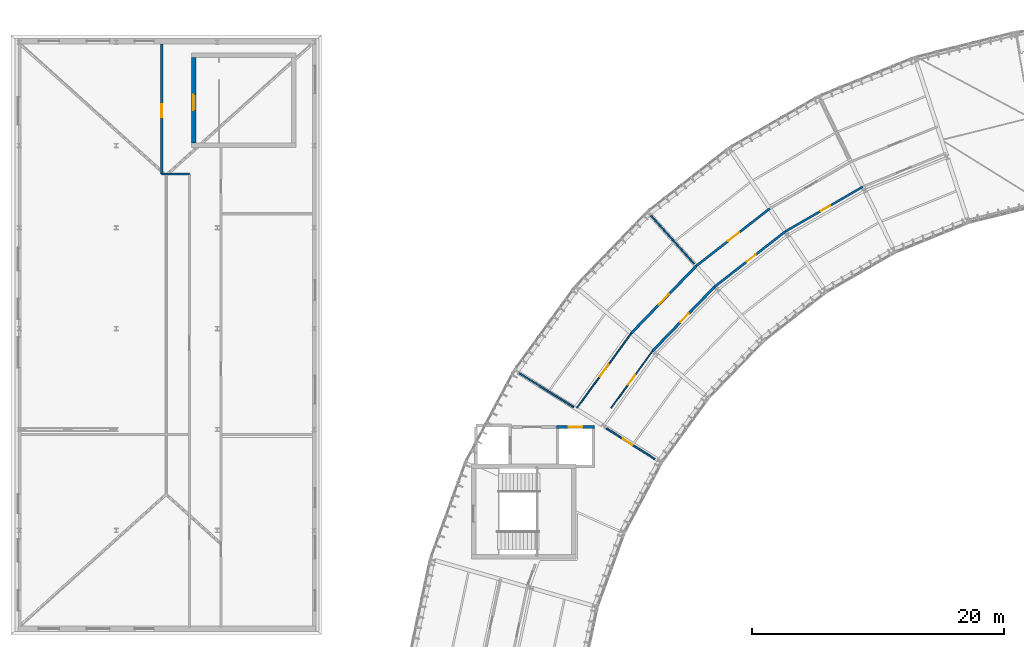
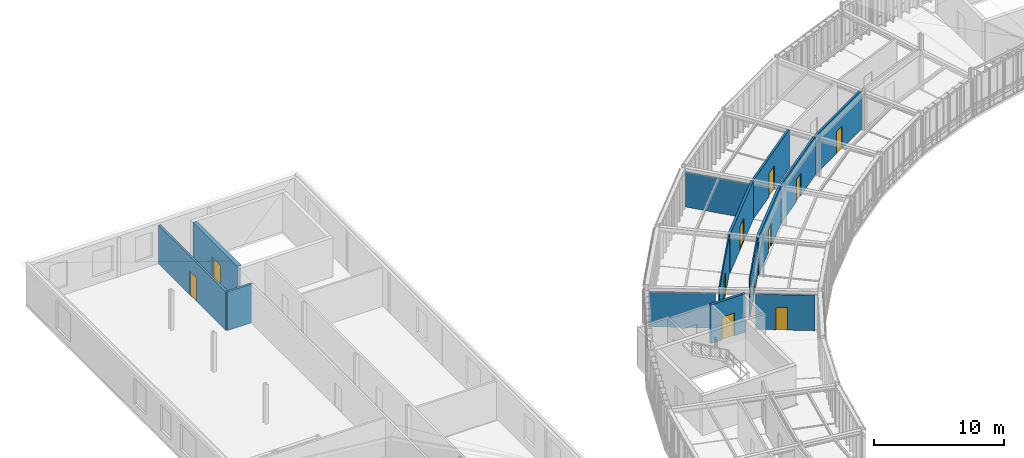
# One storey, part 31 of 42: 14 walls, 11 doors, 11 openings.
"""IFC4 building model written with IfcOpenShell, lengths in metres."""

from ifc_helpers import new_model, si_unit, direction, frame, frame_2d, origin, place, context, subcontext, project, spatial, rectangle, extrude, material, layer, layer_set, type_object, element, fill, save


model = new_model("IFC4")

# Units and contexts
model_context = context("Model", 3, precision=1e-05, world=origin(), true_north=direction((0.0, 1.0)))
body_context = subcontext(model_context, "Body", "Model", "MODEL_VIEW")
ifc_project = project(units=[si_unit("LENGTHUNIT", "METRE"), si_unit("AREAUNIT", "SQUARE_METRE"), si_unit("VOLUMEUNIT", "CUBIC_METRE"), si_unit("PLANEANGLEUNIT", "RADIAN"), si_unit("MASSUNIT", "GRAM", prefix="KILO"), si_unit("THERMODYNAMICTEMPERATUREUNIT", "KELVIN"), si_unit("POWERUNIT", "WATT")], contexts=[model_context])

# Site, building, storey
site_placement = place(None, origin())
site = spatial("IfcSite", under=ifc_project, at=site_placement, CompositionType="ELEMENT")
building_placement = place(site_placement, origin())
building = spatial("IfcBuilding", under=site, at=building_placement, Name="Solvatero Civic Police Headquarters", CompositionType="ELEMENT")
storey_placement = place(building_placement, frame((0.0, 0.0, 21.60009765625)))
storey = spatial("IfcBuildingStorey", under=building, at=storey_placement, Name="L05", CompositionType="ELEMENT", Elevation=21.60009765625)

# Wall, opening, door
ifc_material_1 = material(Name="Gypsum Acoustic Stud", Category="gypsum")
ifc_layer_1 = layer(ifc_material_1, 0.10009765625)
ifc_layer_set_1 = layer_set([ifc_layer_1], Name="Gypsum Acoustic Stud")
wall_type_1 = type_object("IfcWallType", Name="WL-PTN-100", PredefinedType="PARTITIONING", material=ifc_layer_set_1)
wall_1_placement = place(storey_placement, frame((55.00830078125, 58.718017578125, 0.0), z_axis=(0.0, 0.0, 1.0), x_axis=(-0.587773920785, -0.809025227076, 0.0)))
wall_1 = element("IfcWall", 1, at=wall_1_placement, inside=storey, type_object=wall_type_1, Name="Interior Partition WLP-L05-ARC-CIN-B08", PredefinedType="PARTITIONING", context=body_context, shape_type="SweptSolid", body=[
    extrude(rectangle(XDim=5.58447265625, YDim=0.10009765625, at=frame_2d((2.792236328125, 0.0))), origin(), (0.0, 0.0, 1.0), 3.619873046875),
])
opening_1_placement = place(wall_1_placement, frame((2.344970703125, 0.0, 0.0)))
opening_1 = element("IfcOpeningElement", 2, at=opening_1_placement, cuts=wall_1, Name="Opening ID-04", PredefinedType="OPENING", context=body_context, shape_type="SweptSolid", body=[
    extrude(rectangle(XDim=0.949951171875, YDim=2.14990234375, at=frame_2d((0.47509765625, 1.074951171875))), frame((0.0, 0.06005859375, 0.0), z_axis=(0.0, -1.0, 0.0), x_axis=(1.0, 0.0, 0.0)), (0.0, 0.0, 1.0), 0.1201171875),
])
ifc_material_2 = material(Name="Acoustic Oak Timber Veneer", Category="wood")
door_type_1 = type_object("IfcDoorType", Name="DR-ACC-095x215", OperationType="NOTDEFINED", PredefinedType="DOOR", material=ifc_material_2)
door_1_placement = place(opening_1_placement, origin())
door_1 = element("IfcDoor", 3, at=door_1_placement, inside=storey, type_object=door_type_1, Name="Interior Door DR-L05-ARC-IN-B08", OperationType="SINGLE_SWING_LEFT", OverallHeight=2.14990234375, OverallWidth=0.949951171875, PredefinedType="DOOR", context=body_context, shape_type="SweptSolid", body=[
    extrude(rectangle(XDim=0.949951171875, YDim=2.14990234375, at=frame_2d((0.47509765625, 1.074951171875))), frame((0.0, 0.02490234375, 0.0), z_axis=(0.0, -1.0, 0.0), x_axis=(1.0, 0.0, 0.0)), (0.0, 0.0, 1.0), 0.050048828125),
])
fill(opening_1, door_1)

wall_2_placement = place(storey_placement, frame((53.322998046875, 60.132080078125, 0.0), z_axis=(0.0, 0.0, 1.0), x_axis=(-0.587773694682, -0.809025391344, 0.0)))
wall_2 = element("IfcWall", 4, at=wall_2_placement, inside=storey, type_object=wall_type_1, Name="Interior Partition WLP-L05-ARC-COUT-B08", PredefinedType="PARTITIONING", context=body_context, shape_type="SweptSolid", body=[
    extrude(rectangle(XDim=7.33251953125, YDim=0.10009765625, at=frame_2d((3.666259765625, 0.0))), origin(), (0.0, 0.0, 1.0), 3.619873046875),
])
opening_2_placement = place(wall_2_placement, frame((3.080078125, 0.0, 0.0)))
opening_2 = element("IfcOpeningElement", 5, at=opening_2_placement, cuts=wall_2, Name="Opening ID-10", PredefinedType="OPENING", context=body_context, shape_type="SweptSolid", body=[
    extrude(rectangle(XDim=1.14990234375, YDim=2.199951171875, at=frame_2d((0.574951171875, 1.10009765625))), frame((0.0, 0.06005859375, 0.0), z_axis=(0.0, -1.0, 0.0), x_axis=(1.0, 0.0, 0.0)), (0.0, 0.0, 1.0), 0.1201171875),
])
ifc_material_3 = material(Name="Powder-Coated Steel", Category="steel")
door_type_2 = type_object("IfcDoorType", Name="DR-COR-115x220", OperationType="NOTDEFINED", PredefinedType="DOOR", material=ifc_material_3)
door_2_placement = place(opening_2_placement, origin())
door_2 = element("IfcDoor", 6, at=door_2_placement, inside=storey, type_object=door_type_2, Name="Interior Door DR-L05-ARC-OUT-B08", OperationType="SINGLE_SWING_RIGHT", OverallHeight=2.199951171875, OverallWidth=1.14990234375, PredefinedType="DOOR", context=body_context, shape_type="SweptSolid", body=[
    extrude(rectangle(XDim=1.14990234375, YDim=2.199951171875, at=frame_2d((0.574951171875, 1.10009765625))), frame((0.0, 0.02490234375, 0.0), z_axis=(0.0, -1.0, 0.0), x_axis=(1.0, 0.0, 0.0)), (0.0, 0.0, 1.0), 0.050048828125),
])
fill(opening_2, door_2)

# Walls
ifc_layer_2 = layer(ifc_material_1, 0.1201171875)
ifc_layer_set_2 = layer_set([ifc_layer_2], Name="Gypsum Acoustic Stud")
wall_type_2 = type_object("IfcWallType", Name="WL-PTN-120", PredefinedType="PARTITIONING", material=ifc_layer_set_2)
wall_3_placement = place(storey_placement, frame((58.302001953125, 65.646728515625, 0.0), z_axis=(0.0, 0.0, 1.0), x_axis=(-0.669114002905, 0.743159774959, 0.0)))
element("IfcWall", 7, at=wall_3_placement, inside=storey, type_object=wall_type_2, Name="Interior Partition WLP-L05-ARC-RAD-B06", PredefinedType="PARTITIONING", context=body_context, shape_type="SweptSolid", body=[
    extrude(rectangle(XDim=5.150146484375, YDim=0.1201171875, at=frame_2d((2.5751953125, 0.0))), origin(), (0.0, 0.0, 1.0), 3.25),
])
wall_4_placement = place(storey_placement, frame((48.756591796875, 54.271240234375, 0.0), z_axis=(0.0, 0.0, 1.0), x_axis=(-0.848054228257, 0.529909450694, 0.0)))
element("IfcWall", 8, at=wall_4_placement, inside=storey, type_object=wall_type_2, Name="Interior Partition WLP-L05-ARC-RAD-B08", PredefinedType="PARTITIONING", context=body_context, shape_type="SweptSolid", body=[
    extrude(rectangle(XDim=5.14990234375, YDim=0.1201171875, at=frame_2d((2.574951171875, 0.0))), origin(), (0.0, 0.0, 1.0), 3.25),
])

# Wall, opening, door
ifc_material_4 = material(Name="Gypsum Double-Stud", Category="gypsum")
ifc_layer_3 = layer(ifc_material_4, 0.135009765625)
ifc_layer_set_3 = layer_set([ifc_layer_3], Name="Gypsum Double-Stud")
wall_type_3 = type_object("IfcWallType", Name="WL-PTN-135", PredefinedType="PARTITIONING", material=ifc_layer_set_3)
wall_5_placement = place(storey_placement, frame((51.35009765625, 52.60009765625, 0.0), z_axis=(0.0, 0.0, 1.0), x_axis=(0.84363284859, -0.536920493909, 0.0)))
wall_5 = element("IfcWall", 9, at=wall_5_placement, inside=storey, type_object=wall_type_3, Name="Interior Partition WLP-L05-ARC-CIN-B09C", PredefinedType="PARTITIONING", context=body_context, shape_type="SweptSolid", body=[
    extrude(rectangle(XDim=4.5634765625, YDim=0.135009765625, at=frame_2d((2.28173828125, 0.0))), origin(), (0.0, 0.0, 1.0), 3.2998046875),
])
opening_3_placement = place(wall_5_placement, frame((1.550048828125, 0.0, 0.0)))
opening_3 = element("IfcOpeningElement", 10, at=opening_3_placement, cuts=wall_5, Name="Opening ID-02", PredefinedType="OPENING", context=body_context, shape_type="SweptSolid", body=[
    extrude(rectangle(XDim=0.89990234375, YDim=2.10009765625, at=frame_2d((0.449951171875, 1.050048828125))), frame((0.0, 0.077392578125, 0.0), z_axis=(0.0, -1.0, 0.0), x_axis=(1.0, 0.0, 0.0)), (0.0, 0.0, 1.0), 0.155029296875),
])
door_type_3 = type_object("IfcDoorType", Name="DR-OFF-090x210", OperationType="NOTDEFINED", PredefinedType="DOOR", material=ifc_material_2)
door_3_placement = place(opening_3_placement, origin())
door_3 = element("IfcDoor", 11, at=door_3_placement, inside=storey, type_object=door_type_3, Name="Interior Door DR-L05-ARC-IN-B09", OperationType="SINGLE_SWING_RIGHT", OverallHeight=2.10009765625, OverallWidth=0.89990234375, PredefinedType="DOOR", context=body_context, shape_type="SweptSolid", body=[
    extrude(rectangle(XDim=0.89990234375, YDim=2.10009765625, at=frame_2d((0.449951171875, 1.050048828125))), frame((0.0, 0.02490234375, 0.0), z_axis=(0.0, -1.0, 0.0), x_axis=(1.0, 0.0, 0.0)), (0.0, 0.0, 1.0), 0.050048828125),
])
fill(opening_3, door_3)

ifc_material_5 = material(Name="Concrete Blockwork", Category="masonry")
ifc_layer_4 = layer(ifc_material_5, 0.1650390625)
ifc_layer_set_4 = layer_set([ifc_layer_4], Name="Concrete Blockwork")
wall_type_4 = type_object("IfcWallType", Name="WL-PTN-165", PredefinedType="PARTITIONING", material=ifc_layer_set_4)
wall_6_placement = place(storey_placement, frame((71.68701171875, 71.74853515625, 0.0), z_axis=(0.0, 0.0, 1.0), x_axis=(-0.866032151687, -0.499988312107, 0.0)))
wall_6 = element("IfcWall", 12, at=wall_6_placement, inside=storey, type_object=wall_type_4, Name="Interior Partition WLP-L05-ARC-CIN-B05", PredefinedType="PARTITIONING", context=body_context, shape_type="SweptSolid", body=[
    extrude(rectangle(XDim=7.101318359375, YDim=0.1650390625, at=frame_2d((3.55078125, 0.0))), origin(), (0.0, 0.0, 1.0), 3.619873046875),
])
opening_4_placement = place(wall_6_placement, frame((2.98193359375, 0.0, 0.0)))
opening_4 = element("IfcOpeningElement", 13, at=opening_4_placement, cuts=wall_6, Name="Opening ID-01", PredefinedType="OPENING", context=body_context, shape_type="SweptSolid", body=[
    extrude(rectangle(XDim=0.8798828125, YDim=2.10009765625, at=frame_2d((0.43994140625, 1.050048828125))), frame((0.0, 0.092529296875, 0.0), z_axis=(0.0, -1.0, 0.0), x_axis=(1.0, 0.0, 0.0)), (0.0, 0.0, 1.0), 0.18505859375),
])
door_type_4 = type_object("IfcDoorType", Name="DR-OFF-088x210", OperationType="NOTDEFINED", PredefinedType="DOOR", material=ifc_material_2)
door_4_placement = place(opening_4_placement, origin())
door_4 = element("IfcDoor", 14, at=door_4_placement, inside=storey, type_object=door_type_4, Name="Interior Door DR-L05-ARC-IN-B05", OperationType="SINGLE_SWING_LEFT", OverallHeight=2.10009765625, OverallWidth=0.8798828125, PredefinedType="DOOR", context=body_context, shape_type="SweptSolid", body=[
    extrude(rectangle(XDim=0.8798828125, YDim=2.10009765625, at=frame_2d((0.43994140625, 1.050048828125))), frame((0.0, 0.02490234375, 0.0), z_axis=(0.0, -1.0, 0.0), x_axis=(1.0, 0.0, 0.0)), (0.0, 0.0, 1.0), 0.050048828125),
])
fill(opening_4, door_4)

# Wall
ifc_layer_5 = layer(ifc_material_5, 0.179931640625)
ifc_layer_set_5 = layer_set([ifc_layer_5], Name="Concrete Blockwork")
wall_type_5 = type_object("IfcWallType", Name="WL-PTN-180", PredefinedType="PARTITIONING", material=ifc_layer_set_5)
wall_7_placement = place(storey_placement, frame((16.10009765625, 72.75, 0.0), z_axis=(0.0, 0.0, 1.0), x_axis=(1.0, 0.0, 0.0)))
element("IfcWall", 15, at=wall_7_placement, inside=storey, type_object=wall_type_5, Name="Interior Partition WLP-L05-C4LOB-S", PredefinedType="PARTITIONING", context=body_context, shape_type="SweptSolid", body=[
    extrude(rectangle(XDim=2.199951171875, YDim=0.179931640625, at=frame_2d((1.10009765625, 0.0))), origin(), (0.0, 0.0, 1.0), 3.619873046875),
])

# Wall, opening, door
wall_8_placement = place(storey_placement, frame((16.10009765625, 72.75, 0.0), z_axis=(0.0, 0.0, 1.0), x_axis=(0.0, 1.0, 0.0)))
wall_8 = element("IfcWall", 16, at=wall_8_placement, inside=storey, type_object=wall_type_5, Name="Interior Partition WLP-L05-C4LOB-W", PredefinedType="PARTITIONING", context=body_context, shape_type="SweptSolid", body=[
    extrude(rectangle(XDim=10.300048828125, YDim=0.179931640625, at=frame_2d((5.14990234375, 0.0))), origin(), (0.0, 0.0, 1.0), 3.619873046875),
])
opening_5_placement = place(wall_8_placement, frame((4.5, 0.0, 0.0)))
opening_5 = element("IfcOpeningElement", 17, at=opening_5_placement, cuts=wall_8, Name="Opening ID-07", PredefinedType="OPENING", context=body_context, shape_type="SweptSolid", body=[
    extrude(rectangle(XDim=1.050048828125, YDim=2.199951171875, at=frame_2d((0.52490234375, 1.10009765625))), frame((0.0, 0.099853515625, 0.0), z_axis=(0.0, -1.0, 0.0), x_axis=(1.0, 0.0, 0.0)), (0.0, 0.0, 1.0), 0.199951171875),
])
door_type_5 = type_object("IfcDoorType", Name="DR-LAB-105x220", OperationType="NOTDEFINED", PredefinedType="DOOR", material=ifc_material_3)
door_5_placement = place(opening_5_placement, origin())
door_5 = element("IfcDoor", 18, at=door_5_placement, inside=storey, type_object=door_type_5, Name="Interior Door DR-L05-V6-C4W", OperationType="SINGLE_SWING_LEFT", OverallHeight=2.199951171875, OverallWidth=1.050048828125, PredefinedType="DOOR", context=body_context, shape_type="SweptSolid", body=[
    extrude(rectangle(XDim=1.050048828125, YDim=2.199951171875, at=frame_2d((0.52490234375, 1.10009765625))), frame((0.0, 0.02490234375, 0.0), z_axis=(0.0, -1.0, 0.0), x_axis=(1.0, 0.0, 0.0)), (0.0, 0.0, 1.0), 0.050048828125),
])
fill(opening_5, door_5)

wall_9_placement = place(storey_placement, frame((65.537109375, 68.197998046875, 0.0), z_axis=(0.0, 0.0, 1.0), x_axis=(-0.788011863809, -0.615660054329, 0.0)))
wall_9 = element("IfcWall", 19, at=wall_9_placement, inside=storey, type_object=wall_type_5, Name="Interior Partition WLP-L05-ARC-CIN-B06", PredefinedType="PARTITIONING", context=body_context, shape_type="SweptSolid", body=[
    extrude(rectangle(XDim=7.10107421875, YDim=0.179931640625, at=frame_2d((3.550537109375, 0.0))), origin(), (0.0, 0.0, 1.0), 3.619873046875),
])
opening_6_placement = place(wall_9_placement, frame((2.98193359375, 0.0, 0.0)))
opening_6 = element("IfcOpeningElement", 20, at=opening_6_placement, cuts=wall_9, Name="Opening ID-02", PredefinedType="OPENING", context=body_context, shape_type="SweptSolid", body=[
    extrude(rectangle(XDim=0.89990234375, YDim=2.10009765625, at=frame_2d((0.449951171875, 1.050048828125))), frame((0.0, 0.099853515625, 0.0), z_axis=(0.0, -1.0, 0.0), x_axis=(1.0, 0.0, 0.0)), (0.0, 0.0, 1.0), 0.199951171875),
])
door_6_placement = place(opening_6_placement, origin())
door_6 = element("IfcDoor", 21, at=door_6_placement, inside=storey, type_object=door_type_3, Name="Interior Door DR-L05-ARC-IN-B06", OperationType="SINGLE_SWING_LEFT", OverallHeight=2.10009765625, OverallWidth=0.89990234375, PredefinedType="DOOR", context=body_context, shape_type="SweptSolid", body=[
    extrude(rectangle(XDim=0.89990234375, YDim=2.10009765625, at=frame_2d((0.449951171875, 1.050048828125))), frame((0.0, 0.02490234375, 0.0), z_axis=(0.0, -1.0, 0.0), x_axis=(1.0, 0.0, 0.0)), (0.0, 0.0, 1.0), 0.050048828125),
])
fill(opening_6, door_6)

wall_10_placement = place(storey_placement, frame((64.306884765625, 70.02197265625, 0.0), z_axis=(0.0, 0.0, 1.0), x_axis=(-0.787999891273, -0.615675378226, 0.0)))
wall_10 = element("IfcWall", 22, at=wall_10_placement, inside=storey, type_object=wall_type_5, Name="Interior Partition WLP-L05-ARC-COUT-B06", PredefinedType="PARTITIONING", context=body_context, shape_type="SweptSolid", body=[
    extrude(rectangle(XDim=7.408203125, YDim=0.179931640625, at=frame_2d((3.7041015625, 0.0))), origin(), (0.0, 0.0, 1.0), 3.619873046875),
])
opening_7_placement = place(wall_10_placement, frame((3.111083984375, 0.0, 0.0)))
opening_7 = element("IfcOpeningElement", 23, at=opening_7_placement, cuts=wall_10, Name="Opening ID-08", PredefinedType="OPENING", context=body_context, shape_type="SweptSolid", body=[
    extrude(rectangle(XDim=1.080078125, YDim=2.219970703125, at=frame_2d((0.5400390625, 1.10986328125))), frame((0.0, 0.099853515625, 0.0), z_axis=(0.0, -1.0, 0.0), x_axis=(1.0, 0.0, 0.0)), (0.0, 0.0, 1.0), 0.199951171875),
])
door_type_6 = type_object("IfcDoorType", Name="DR-LAB-108x222", OperationType="NOTDEFINED", PredefinedType="DOOR", material=ifc_material_3)
door_7_placement = place(opening_7_placement, origin())
door_7 = element("IfcDoor", 24, at=door_7_placement, inside=storey, type_object=door_type_6, Name="Interior Door DR-L05-ARC-OUT-B06", OperationType="SINGLE_SWING_RIGHT", OverallHeight=2.219970703125, OverallWidth=1.080078125, PredefinedType="DOOR", context=body_context, shape_type="SweptSolid", body=[
    extrude(rectangle(XDim=1.080078125, YDim=2.219970703125, at=frame_2d((0.5400390625, 1.10986328125))), frame((0.0, 0.02490234375, 0.0), z_axis=(0.0, -1.0, 0.0), x_axis=(1.0, 0.0, 0.0)), (0.0, 0.0, 1.0), 0.050048828125),
])
fill(opening_7, door_7)

ifc_layer_6 = layer(ifc_material_5, 0.199951171875)
ifc_layer_set_6 = layer_set([ifc_layer_6], Name="Concrete Blockwork")
wall_type_6 = type_object("IfcWallType", Name="WL-PTN-200", PredefinedType="PARTITIONING", material=ifc_layer_set_6)
wall_11_placement = place(storey_placement, frame((59.94140625, 63.826171875, 0.0), z_axis=(0.0, 0.0, 1.0), x_axis=(-0.694674270111, -0.719324445884, 0.0)))
wall_11 = element("IfcWall", 25, at=wall_11_placement, inside=storey, type_object=wall_type_6, Name="Interior Partition WLP-L05-ARC-CIN-B07", PredefinedType="PARTITIONING", context=body_context, shape_type="SweptSolid", body=[
    extrude(rectangle(XDim=7.101318359375, YDim=0.199951171875, at=frame_2d((3.55078125, 0.0))), origin(), (0.0, 0.0, 1.0), 3.619873046875),
])
opening_8_placement = place(wall_11_placement, frame((2.98291015625, 0.0, 0.0)))
opening_8 = element("IfcOpeningElement", 26, at=opening_8_placement, cuts=wall_11, Name="Opening ID-03", PredefinedType="OPENING", context=body_context, shape_type="SweptSolid", body=[
    extrude(rectangle(XDim=0.919921875, YDim=2.1201171875, at=frame_2d((0.4599609375, 1.06005859375))), frame((0.0, 0.10986328125, 0.0), z_axis=(0.0, -1.0, 0.0), x_axis=(1.0, 0.0, 0.0)), (0.0, 0.0, 1.0), 0.219970703125),
])
door_type_7 = type_object("IfcDoorType", Name="DR-OFF-092x212", OperationType="NOTDEFINED", PredefinedType="DOOR", material=ifc_material_2)
door_8_placement = place(opening_8_placement, origin())
door_8 = element("IfcDoor", 27, at=door_8_placement, inside=storey, type_object=door_type_7, Name="Interior Door DR-L05-ARC-IN-B07", OperationType="SINGLE_SWING_LEFT", OverallHeight=2.1201171875, OverallWidth=0.919921875, PredefinedType="DOOR", context=body_context, shape_type="SweptSolid", body=[
    extrude(rectangle(XDim=0.919921875, YDim=2.1201171875, at=frame_2d((0.4599609375, 1.06005859375))), frame((0.0, 0.02490234375, 0.0), z_axis=(0.0, -1.0, 0.0), x_axis=(1.0, 0.0, 0.0)), (0.0, 0.0, 1.0), 0.050048828125),
])
fill(opening_8, door_8)

wall_12_placement = place(storey_placement, frame((58.46923828125, 65.4609375, 0.0), z_axis=(0.0, 0.0, 1.0), x_axis=(-0.694673907436, -0.71932479613, 0.0)))
wall_12 = element("IfcWall", 28, at=wall_12_placement, inside=storey, type_object=wall_type_6, Name="Interior Partition WLP-L05-ARC-COUT-B07", PredefinedType="PARTITIONING", context=body_context, shape_type="SweptSolid", body=[
    extrude(rectangle(XDim=7.408203125, YDim=0.199951171875, at=frame_2d((3.7041015625, 0.0))), origin(), (0.0, 0.0, 1.0), 3.619873046875),
])
opening_9_placement = place(wall_12_placement, frame((3.111083984375, 0.0, 0.0)))
opening_9 = element("IfcOpeningElement", 29, at=opening_9_placement, cuts=wall_12, Name="Opening ID-09", PredefinedType="OPENING", context=body_context, shape_type="SweptSolid", body=[
    extrude(rectangle(XDim=1.1201171875, YDim=2.199951171875, at=frame_2d((0.56005859375, 1.10009765625))), frame((0.0, 0.10986328125, 0.0), z_axis=(0.0, -1.0, 0.0), x_axis=(1.0, 0.0, 0.0)), (0.0, 0.0, 1.0), 0.219970703125),
])
door_type_8 = type_object("IfcDoorType", Name="DR-PLT-112x220", OperationType="NOTDEFINED", PredefinedType="DOOR", material=ifc_material_3)
door_9_placement = place(opening_9_placement, origin())
door_9 = element("IfcDoor", 30, at=door_9_placement, inside=storey, type_object=door_type_8, Name="Interior Door DR-L05-ARC-OUT-B07", OperationType="SINGLE_SWING_RIGHT", OverallHeight=2.199951171875, OverallWidth=1.1201171875, PredefinedType="DOOR", context=body_context, shape_type="SweptSolid", body=[
    extrude(rectangle(XDim=1.1201171875, YDim=2.199951171875, at=frame_2d((0.56005859375, 1.10009765625))), frame((0.0, 0.02490234375, 0.0), z_axis=(0.0, -1.0, 0.0), x_axis=(1.0, 0.0, 0.0)), (0.0, 0.0, 1.0), 0.050048828125),
])
fill(opening_9, door_9)

ifc_material_6 = material(Name="Concrete C35/45", Category="concrete")
ifc_layer_7 = layer(ifc_material_6, 0.219970703125)
ifc_layer_set_7 = layer_set([ifc_layer_7], Name="Concrete C35/45")
wall_type_7 = type_object("IfcWallType", Name="WL-SHF-220", PredefinedType="PARTITIONING", material=ifc_layer_set_7)
wall_13_placement = place(storey_placement, frame((47.3798828125, 52.7099609375, 0.0), z_axis=(0.0, 0.0, 1.0), x_axis=(1.0, 0.0, 0.0)))
wall_13 = element("IfcWall", 31, at=wall_13_placement, inside=storey, type_object=wall_type_7, Name="Lift Shaft Wall WLS-LP-03-L05-N", PredefinedType="PARTITIONING", context=body_context, shape_type="SweptSolid", body=[
    extrude(rectangle(XDim=3.0400390625, YDim=0.219970703125, at=frame_2d((1.52001953125, 0.0))), origin(), (0.0, 0.0, 1.0), 3.619873046875),
])
opening_10_placement = place(wall_13_placement, frame((0.969970703125, 0.0, 0.0)))
opening_10 = element("IfcOpeningElement", 32, at=opening_10_placement, cuts=wall_13, Name="Opening LD-01", PredefinedType="OPENING", context=body_context, shape_type="SweptSolid", body=[
    extrude(rectangle(XDim=1.10009765625, YDim=2.14990234375, at=frame_2d((0.550048828125, 1.074951171875))), frame((0.0, 0.119873046875, 0.0), z_axis=(0.0, -1.0, 0.0), x_axis=(1.0, 0.0, 0.0)), (0.0, 0.0, 1.0), 0.239990234375),
])
ifc_material_7 = material(Name="Stainless Steel Grade 316", Category="steel")
door_type_9 = type_object("IfcDoorType", Name="DR-LFT-110x215", OperationType="DOUBLE_DOOR_SLIDING", PredefinedType="DOOR", material=ifc_material_7)
door_10_placement = place(opening_10_placement, origin())
door_10 = element("IfcDoor", 33, at=door_10_placement, inside=storey, type_object=door_type_9, Name="Interior Door DR-LFT-LP-03-L05", OperationType="DOUBLE_DOOR_SLIDING", OverallHeight=2.14990234375, OverallWidth=1.10009765625, PredefinedType="DOOR", context=body_context, shape_type="SweptSolid", body=[
    extrude(rectangle(XDim=1.10009765625, YDim=2.14990234375, at=frame_2d((0.550048828125, 1.074951171875))), frame((0.0, 0.02490234375, 0.0), z_axis=(0.0, -1.0, 0.0), x_axis=(1.0, 0.0, 0.0)), (0.0, 0.0, 1.0), 0.050048828125),
])
fill(opening_10, door_10)

ifc_material_8 = material(Name="Concrete C40/50", Category="concrete")
ifc_layer_8 = layer(ifc_material_8, 0.35009765625)
ifc_layer_set_8 = layer_set([ifc_layer_8], Name="Concrete C40/50")
wall_type_8 = type_object("IfcWallType", Name="WL-SHR-350", PredefinedType="SHEAR", material=ifc_layer_set_8)
wall_14_placement = place(storey_placement, frame((18.625, 75.199951171875, 0.0), z_axis=(0.0, 0.0, 1.0), x_axis=(0.0, 1.0, 0.0)))
wall_14 = element("IfcWall", 34, at=wall_14_placement, inside=storey, type_object=wall_type_8, Name="Core C4 Shear Wall W L05", PredefinedType="SHEAR", context=body_context, shape_type="SweptSolid", body=[
    extrude(rectangle(XDim=6.800048828125, YDim=0.35009765625, at=frame_2d((3.39990234375, 0.0))), origin(), (0.0, 0.0, 1.0), 3.659912109375),
])
opening_11_placement = place(wall_14_placement, frame((2.60009765625, 0.0, 0.0)))
opening_11 = element("IfcOpeningElement", 35, at=opening_11_placement, cuts=wall_14, Name="Opening FD-01", PredefinedType="OPENING", context=body_context, shape_type="SweptSolid", body=[
    extrude(rectangle(XDim=1.25, YDim=2.199951171875, at=frame_2d((0.625, 1.10009765625))), frame((0.0, 0.18505859375, 0.0), z_axis=(0.0, -1.0, 0.0), x_axis=(1.0, 0.0, 0.0)), (0.0, 0.0, 1.0), 0.3701171875),
])
door_type_10 = type_object("IfcDoorType", Name="DR-STR-125x220", OperationType="NOTDEFINED", PredefinedType="DOOR", material=ifc_material_3)
door_11_placement = place(opening_11_placement, origin())
door_11 = element("IfcDoor", 36, at=door_11_placement, inside=storey, type_object=door_type_10, Name="Interior Door DR-STR-C4-L05", OperationType="SINGLE_SWING_LEFT", OverallHeight=2.199951171875, OverallWidth=1.25, PredefinedType="DOOR", context=body_context, shape_type="SweptSolid", body=[
    extrude(rectangle(XDim=1.25, YDim=2.199951171875, at=frame_2d((0.625, 1.10009765625))), frame((0.0, 0.02490234375, 0.0), z_axis=(0.0, -1.0, 0.0), x_axis=(1.0, 0.0, 0.0)), (0.0, 0.0, 1.0), 0.050048828125),
])
fill(opening_11, door_11)

save(model, "model.ifc")
